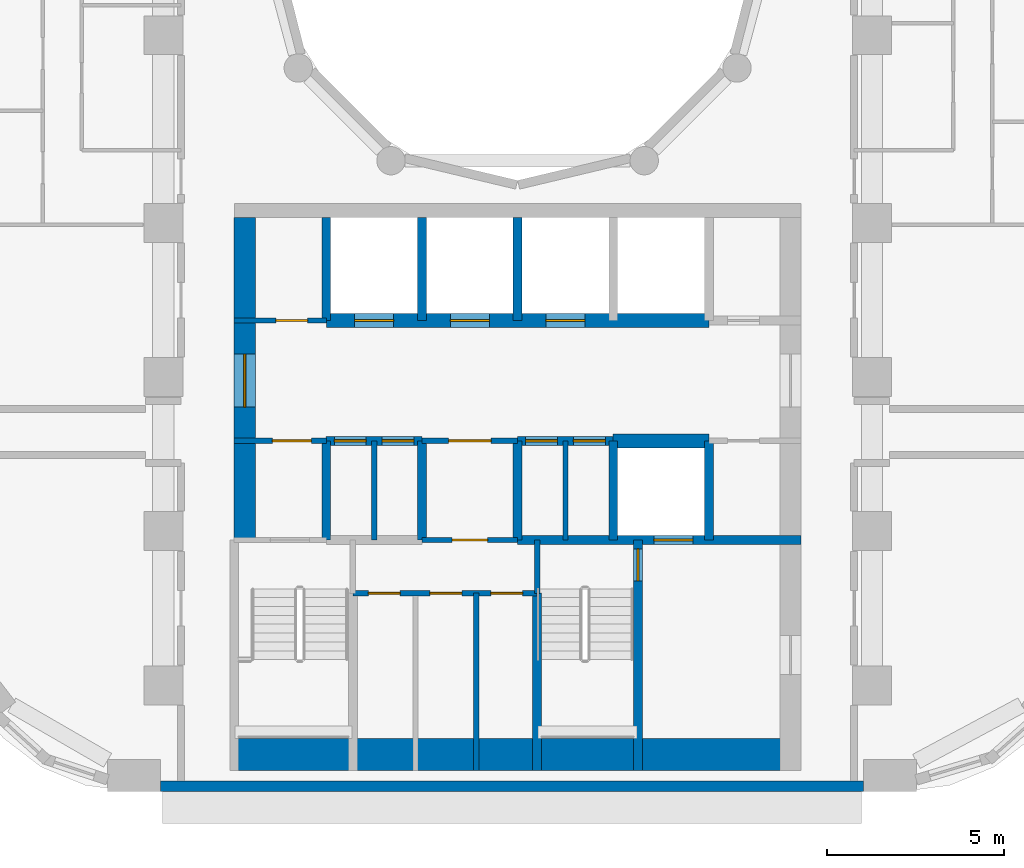
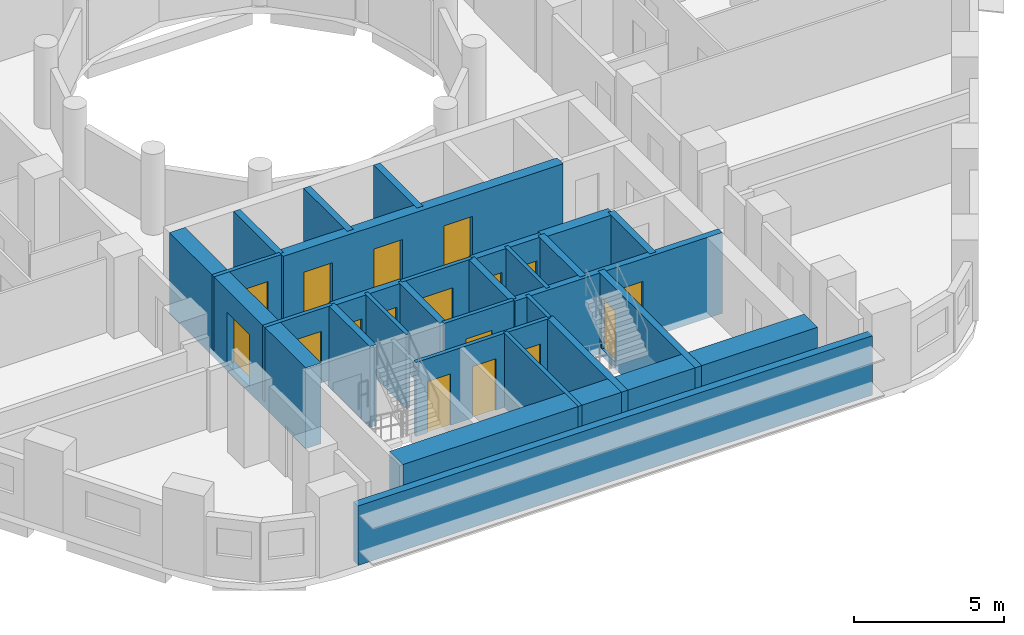
# One storey, part 3 of 13: 27 walls, 17 doors, 17 openings.
"""IFC4 building model written with IfcOpenShell, lengths in metres."""

import ifcopenshell
import ifcopenshell.guid

model = None  # the IFC model being written
_history = None  # IfcOwnerHistory: only IFC2X3 demands one
_inside = {}  # id of a spatial element -> (the spatial element, [elements in it])
_under = {}  # id of a project, library or spatial element -> (it, [spatial elements below it])
_declared = {}  # id of a project -> (the project, [libraries it declares])
_typed = {}  # id of a type object -> (the type object, [elements of that type])
_made_of = {}  # id of a material, layer set ... -> (it, [elements and type objects made of it])


def new_model(schema):
    """Start an empty IFC model of exactly this schema.

    Asked for "IFC4X3", IfcOpenShell would pick the latest addendum, in which some entities
    have other attributes; the version numbers below select the first issue.
    IFC2X3 requires an IfcOwnerHistory on every rooted entity: one is made here for all.
    """
    global model, _history
    if schema == "IFC4X3":
        model = ifcopenshell.file(schema_version=(4, 3, 0, 0))
    else:
        model = ifcopenshell.file(schema=schema)
    _inside.clear()
    _under.clear()
    _declared.clear()
    _typed.clear()
    _made_of.clear()
    _history = None
    if model.schema == "IFC2X3":
        org = make("IfcOrganization", Name="unknown")
        user = make(
            "IfcPersonAndOrganization",
            ThePerson=make("IfcPerson", FamilyName="unknown"),
            TheOrganization=org,
        )
        app = make(
            "IfcApplication",
            ApplicationDeveloper=org,
            Version="unknown",
            ApplicationFullName="unknown",
            ApplicationIdentifier="unknown",
        )
        _history = make(
            "IfcOwnerHistory",
            OwningUser=user,
            OwningApplication=app,
            ChangeAction="ADDED",
            CreationDate=0,
        )
    return model


def make(cls, **values):
    """One entity of the class cls with the attributes given. An attribute that is None is left unset."""
    return model.create_entity(
        cls, **{name: value for name, value in values.items() if value is not None}
    )


def rooted(cls, **values):
    """An entity with a GlobalId (a new one), such as an element, a storey or a relation."""
    return make(cls, GlobalId=ifcopenshell.guid.new(), OwnerHistory=_history, **values)


def si_unit(unit_type, name, prefix=None):
    """IfcSIUnit, for example si_unit("LENGTHUNIT", "METRE", prefix="MILLI")."""
    return make("IfcSIUnit", UnitType=unit_type, Prefix=prefix, Name=name)


def assignment(units):
    """IfcUnitAssignment: the units of a project."""
    return None if units is None else make("IfcUnitAssignment", Units=units)


def point(xyz):
    """IfcCartesianPoint."""
    return None if xyz is None else make("IfcCartesianPoint", Coordinates=xyz)


def direction(xyz):
    """IfcDirection."""
    return None if xyz is None else make("IfcDirection", DirectionRatios=xyz)


def frame(location, z_axis=None, x_axis=None):
    """IfcAxis2Placement3D, a coordinate frame: its origin and axes. An axis left out is left unset."""
    return make(
        "IfcAxis2Placement3D",
        Location=point(location),
        Axis=direction(z_axis),
        RefDirection=direction(x_axis),
    )


def frame_2d(location, x_axis=None):
    """IfcAxis2Placement2D, a coordinate frame in the plane: its origin and x axis."""
    return make(
        "IfcAxis2Placement2D", Location=point(location), RefDirection=direction(x_axis)
    )


def origin():
    """The frame at (0, 0, 0) with its axes left unset."""
    return frame((0.0, 0.0, 0.0))


def place(relative_to, where):
    """IfcLocalPlacement: puts the frame where relative to a parent placement (None: the world)."""
    return make(
        "IfcLocalPlacement", PlacementRelTo=relative_to, RelativePlacement=where
    )


def context(
    kind, dimensions, precision=None, world=None, true_north=None, identifier=None
):
    """IfcGeometricRepresentationContext, for example the 3D "Model" context."""
    return make(
        "IfcGeometricRepresentationContext",
        ContextIdentifier=identifier,
        ContextType=kind,
        CoordinateSpaceDimension=dimensions,
        Precision=precision,
        WorldCoordinateSystem=world,
        TrueNorth=true_north,
    )


def subcontext(parent, identifier, kind, view, scale=None):
    """IfcGeometricRepresentationSubContext, for example "Body" below "Model"."""
    return make(
        "IfcGeometricRepresentationSubContext",
        ContextIdentifier=identifier,
        ContextType=kind,
        ParentContext=parent,
        TargetScale=scale,
        TargetView=view,
    )


def project(units=None, contexts=None):
    """IfcProject with its units and contexts."""
    return rooted(
        "IfcProject",
        Name="project",
        RepresentationContexts=contexts,
        UnitsInContext=assignment(units),
    )


def spatial(cls, under=None, at=None, **own):
    """A site, building, storey or space (cls), placed at a placement, below another one or the project."""
    s = rooted(cls, ObjectPlacement=at, **own)
    if under is not None:
        _under.setdefault(under.id(), (under, []))[1].append(s)
    return s


def profile(cls, at=None, kind="AREA", **sizes):
    """A parametric profile (cls). Its sizes go by their IFC names, for example OverallWidth=200.0."""
    return make(cls, ProfileType=kind, Position=at, **sizes)


def rectangle(**sizes):
    """IfcRectangleProfileDef."""
    return profile("IfcRectangleProfileDef", **sizes)


def extrude(swept, where, along, depth):
    """IfcExtrudedAreaSolid: the profile swept, set in the frame where, extruded along a direction by depth."""
    return make(
        "IfcExtrudedAreaSolid",
        SweptArea=swept,
        Position=where,
        ExtrudedDirection=direction(along),
        Depth=depth,
    )


def shape(context_of_items, identifier, shape_type, items):
    """IfcShapeRepresentation: the items that make up one representation, for example the "Body"."""
    return make(
        "IfcShapeRepresentation",
        ContextOfItems=context_of_items,
        RepresentationIdentifier=identifier,
        RepresentationType=shape_type,
        Items=items,
    )


def material(Name=None, Category=None):
    """IfcMaterial."""
    return make("IfcMaterial", Name=Name, Category=Category)


def layer(
    of_material, thickness, ventilated=None, Name=None, Category=None, Priority=None
):
    """IfcMaterialLayer: one layer of a wall or slab, of a material (None: an air gap)."""
    return make(
        "IfcMaterialLayer",
        Material=of_material,
        LayerThickness=thickness,
        IsVentilated=ventilated,
        Name=Name,
        Category=Category,
        Priority=Priority,
    )


def layer_set(layers, Name=None):
    """IfcMaterialLayerSet."""
    return make("IfcMaterialLayerSet", MaterialLayers=layers, LayerSetName=Name)


def made_of(thing, what):
    """Note that an element or type object is made of a material, layer set ...; save() writes the relation."""
    if what is not None:
        _made_of.setdefault(what.id(), (what, []))[1].append(thing)
    return thing


def type_object(cls, material=None, **own):
    """A type object (cls), such as IfcWallType, which elements share."""
    return made_of(rooted(cls, **own), material)


def element(
    cls,
    number,
    at=None,
    inside=None,
    cuts=None,
    type_object=None,
    material=None,
    context=None,
    identifier="Body",
    shape_type=None,
    held_by="IfcProductDefinitionShape",
    body=None,
    shapes=None,
    **own,
):
    """One element of the class cls, such as IfcWall. Its Tag is "e" and its number.

    at: its placement. inside: the storey or other place that contains it. cuts: it is an
    opening in that element (IfcRelVoidsElement). A single representation is given by context,
    identifier, shape_type and body (its items); several are given by shapes. held_by: the class
    of the entity that holds the representations. save() writes the other relations.
    """
    e = rooted(cls, Tag="e%d" % number, ObjectPlacement=at, **own)
    if body is not None:
        shapes = [shape(context, identifier, shape_type, body)]
    if shapes is not None:
        e.Representation = make(held_by, Representations=shapes)
    if inside is not None:
        _inside.setdefault(inside.id(), (inside, []))[1].append(e)
    if cuts is not None:
        rooted(
            "IfcRelVoidsElement", RelatingBuildingElement=cuts, RelatedOpeningElement=e
        )
    if type_object is not None:
        _typed.setdefault(type_object.id(), (type_object, []))[1].append(e)
    return made_of(e, material)


def fill(opening, filler):
    """IfcRelFillsElement: the door or window that sits in an opening."""
    return rooted(
        "IfcRelFillsElement",
        RelatingOpeningElement=opening,
        RelatedBuildingElement=filler,
    )


def aggregate(whole, parts):
    """IfcRelAggregates: a whole, such as a stair, and the parts it consists of."""
    return rooted("IfcRelAggregates", RelatingObject=whole, RelatedObjects=parts)


def save(model, path):
    """Write the relations noted so far, then the file.

    IfcRelAggregates (storeys below a building ...), IfcRelContainedInSpatialStructure (elements
    in a storey), IfcRelDefinesByType, IfcRelAssociatesMaterial and IfcRelDeclares: one each for
    every whole, place, type object, material and project.
    """
    for whole, parts in _under.values():
        aggregate(whole, parts)
    for where, things in _inside.values():
        rooted(
            "IfcRelContainedInSpatialStructure",
            RelatedElements=things,
            RelatingStructure=where,
        )
    for kind, things in _typed.values():
        rooted("IfcRelDefinesByType", RelatedObjects=things, RelatingType=kind)
    for what, things in _made_of.values():
        rooted("IfcRelAssociatesMaterial", RelatedObjects=things, RelatingMaterial=what)
    for by, libraries in _declared.values():
        rooted("IfcRelDeclares", RelatingContext=by, RelatedDefinitions=libraries)
    model.write(path)


model = new_model("IFC4")

# Units and contexts
model_context = context("Model", 3, precision=1e-05, world=origin(), true_north=direction((0.0, 1.0)))
body_context = subcontext(model_context, "Body", "Model", "MODEL_VIEW")
ifc_project = project(units=[si_unit("LENGTHUNIT", "METRE"), si_unit("AREAUNIT", "SQUARE_METRE"), si_unit("VOLUMEUNIT", "CUBIC_METRE"), si_unit("PLANEANGLEUNIT", "RADIAN"), si_unit("MASSUNIT", "GRAM", prefix="KILO")], contexts=[model_context])

# Site, building, storey
site_placement = place(None, origin())
site = spatial("IfcSite", under=ifc_project, at=site_placement, CompositionType="ELEMENT")
building_placement = place(site_placement, origin())
building = spatial("IfcBuilding", under=site, at=building_placement, Name="Nakaniwa Court", CompositionType="ELEMENT")
storey_placement = place(building_placement, frame((0.0, 0.0, 48.0)))
storey = spatial("IfcBuildingStorey", under=building, at=storey_placement, Name="L12", CompositionType="ELEMENT", Elevation=48.0)

# Wall
ifc_material_1 = material(Name="Charcoal ceramic cladding")
ifc_layer_1 = layer(ifc_material_1, 0.02, Name="Ceramic cladding")
ifc_material_2 = material(Name="Ventilated air cavity")
ifc_layer_2 = layer(ifc_material_2, 0.04, ventilated=True, Name="Ventilated cavity")
ifc_material_3 = material(Name="Mineral wool insulation")
ifc_layer_3 = layer(ifc_material_3, 0.1, Name="Insulation")
ifc_material_4 = material(Name="Cement bonded sheathing board")
ifc_layer_4 = layer(ifc_material_4, 0.012, Name="Sheathing")
ifc_material_5 = material(Name="Cold-formed galvanised stud frame with mineral wool infill")
ifc_layer_5 = layer(ifc_material_5, 0.1, Name="Stud frame")
ifc_material_6 = material(Name="Fire-rated gypsum plasterboard lining")
ifc_layer_6 = layer(ifc_material_6, 0.028, Name="Lining")
ifc_layer_set_1 = layer_set([ifc_layer_1, ifc_layer_2, ifc_layer_3, ifc_layer_4, ifc_layer_5, ifc_layer_6], Name="Charcoal ceramic faced external wall system")
wall_type_1 = type_object("IfcWallType", Name="Black ceramic faced external wall 300", PredefinedType="SOLIDWALL", material=ifc_layer_set_1)
wall_1_placement = place(storey_placement, frame((69.92138671875, 56.14990234375, 0.0), z_axis=(0.0, 0.0, 1.0), x_axis=(1.0, 0.0, 0.0)))
element("IfcWall", 1, at=wall_1_placement, inside=storey, type_object=wall_type_1, Name="L12 external wall 26", PredefinedType="SOLIDWALL", context=body_context, shape_type="SweptSolid", body=[
    extrude(rectangle(XDim=19.839599609375, YDim=0.300048828125, at=frame_2d((9.919921875, 0.0))), origin(), (0.0, 0.0, 1.0), 2.425048828125),
])

# Wall, opening, door
ifc_material_7 = material(Name="Blockwork partition", Category="masonry")
ifc_layer_7 = layer(ifc_material_7, 0.14990234375)
ifc_layer_set_2 = layer_set([ifc_layer_7], Name="Blockwork partition")
wall_type_2 = type_object("IfcWallType", Name="Blockwork partition 150", PredefinedType="PARTITIONING", material=ifc_layer_set_2)
wall_2_placement = place(storey_placement, frame((72.0, 69.300048828125, 0.0), z_axis=(0.0, 0.0, 1.0), x_axis=(1.0, 0.0, 0.0)))
wall_2 = element("IfcWall", 2, at=wall_2_placement, inside=storey, type_object=wall_type_2, Name="Partition PW-039", PredefinedType="PARTITIONING", context=body_context, shape_type="SweptSolid", body=[
    extrude(rectangle(XDim=2.60009765625, YDim=0.14990234375, at=frame_2d((1.300048828125, 0.0))), origin(), (0.0, 0.0, 1.0), 3.02490234375),
])
opening_1_placement = place(wall_2_placement, frame((1.175048828125, 0.0, 0.0)))
opening_1 = element("IfcOpeningElement", 3, at=opening_1_placement, cuts=wall_2, Name="Opening D-05-11", PredefinedType="OPENING", context=body_context, shape_type="SweptSolid", body=[
    extrude(rectangle(XDim=0.89990234375, YDim=2.10009765625, at=frame_2d((0.449951171875, 1.050048828125))), frame((0.0, 0.0849609375, 0.0), z_axis=(0.0, -1.0, 0.0), x_axis=(1.0, 0.0, 0.0)), (0.0, 0.0, 1.0), 0.169921875),
])
ifc_material_8 = material(Name="Fire rated steel door set", Category="steel")
door_type_1 = type_object("IfcDoorType", Name="Service room door 900", OperationType="NOTDEFINED", PredefinedType="DOOR", material=ifc_material_8)
door_1_placement = place(opening_1_placement, origin())
door_1 = element("IfcDoor", 4, at=door_1_placement, inside=storey, type_object=door_type_1, Name="Door D-05-11 L12-016", OperationType="SINGLE_SWING_LEFT", OverallHeight=2.10009765625, OverallWidth=0.89990234375, PredefinedType="DOOR", context=body_context, shape_type="SweptSolid", body=[
    extrude(rectangle(XDim=0.89990234375, YDim=2.10009765625, at=frame_2d((0.449951171875, 1.050048828125))), frame((0.0, 0.02490234375, 0.0), z_axis=(0.0, -1.0, 0.0), x_axis=(1.0, 0.0, 0.0)), (0.0, 0.0, 1.0), 0.050048828125),
])
fill(opening_1, door_1)

wall_3_placement = place(storey_placement, frame((74.60302734375, 65.89990234375, 0.0), z_axis=(0.0, 0.0, 1.0), x_axis=(-1.0, 0.0, 0.0)))
wall_3 = element("IfcWall", 5, at=wall_3_placement, inside=storey, type_object=wall_type_2, Name="Partition PW-052", PredefinedType="PARTITIONING", context=body_context, shape_type="SweptSolid", body=[
    extrude(rectangle(XDim=2.60302734375, YDim=0.14990234375, at=frame_2d((1.301513671875, 0.0))), origin(), (0.0, 0.0, 1.0), 3.02490234375),
])
opening_2_placement = place(wall_3_placement, frame((0.427978515625, 0.0, 0.0)))
opening_2 = element("IfcOpeningElement", 6, at=opening_2_placement, cuts=wall_3, Name="Opening D-08-02", PredefinedType="OPENING", context=body_context, shape_type="SweptSolid", body=[
    extrude(rectangle(XDim=1.10009765625, YDim=2.10009765625, at=frame_2d((0.550048828125, 1.050048828125))), frame((0.0, 0.0849609375, 0.0), z_axis=(0.0, -1.0, 0.0), x_axis=(1.0, 0.0, 0.0)), (0.0, 0.0, 1.0), 0.169921875),
])
door_type_2 = type_object("IfcDoorType", Name="Stair lobby door 1100", OperationType="NOTDEFINED", PredefinedType="DOOR", material=ifc_material_8)
door_2_placement = place(opening_2_placement, origin())
door_2 = element("IfcDoor", 7, at=door_2_placement, inside=storey, type_object=door_type_2, Name="Door D-08-02 L12-018", OperationType="SINGLE_SWING_LEFT", OverallHeight=2.10009765625, OverallWidth=1.10009765625, PredefinedType="DOOR", context=body_context, shape_type="SweptSolid", body=[
    extrude(rectangle(XDim=1.10009765625, YDim=2.10009765625, at=frame_2d((0.550048828125, 1.050048828125))), frame((0.0, 0.02490234375, 0.0), z_axis=(0.0, -1.0, 0.0), x_axis=(1.0, 0.0, 0.0)), (0.0, 0.0, 1.0), 0.050048828125),
])
fill(opening_2, door_2)

wall_4_placement = place(storey_placement, frame((80.0029296875, 65.89990234375, 0.0), z_axis=(0.0, 0.0, 1.0), x_axis=(-1.0, 0.0, 0.0)))
wall_4 = element("IfcWall", 8, at=wall_4_placement, inside=storey, type_object=wall_type_2, Name="Partition PW-053", PredefinedType="PARTITIONING", context=body_context, shape_type="SweptSolid", body=[
    extrude(rectangle(XDim=2.705810546875, YDim=0.14990234375, at=frame_2d((1.35302734375, 0.0))), origin(), (0.0, 0.0, 1.0), 3.02490234375),
])
opening_3_placement = place(wall_4_placement, frame((0.7529296875, 0.0, 0.0)))
opening_3 = element("IfcOpeningElement", 9, at=opening_3_placement, cuts=wall_4, Name="Opening D-06-02", PredefinedType="OPENING", context=body_context, shape_type="SweptSolid", body=[
    extrude(rectangle(XDim=1.199951171875, YDim=2.10009765625, at=frame_2d((0.60009765625, 1.050048828125))), frame((0.0, 0.0849609375, 0.0), z_axis=(0.0, -1.0, 0.0), x_axis=(1.0, 0.0, 0.0)), (0.0, 0.0, 1.0), 0.169921875),
])
ifc_material_9 = material(Name="Fire rated steel double door set", Category="steel")
door_type_3 = type_object("IfcDoorType", Name="Service passage double door 1200", OperationType="NOTDEFINED", PredefinedType="DOOR", material=ifc_material_9)
door_3_placement = place(opening_3_placement, origin())
door_3 = element("IfcDoor", 10, at=door_3_placement, inside=storey, type_object=door_type_3, Name="Door D-06-02 L12-021", OperationType="DOUBLE_DOOR_SINGLE_SWING", OverallHeight=2.10009765625, OverallWidth=1.199951171875, PredefinedType="DOOR", context=body_context, shape_type="SweptSolid", body=[
    extrude(rectangle(XDim=1.199951171875, YDim=2.10009765625, at=frame_2d((0.60009765625, 1.050048828125))), frame((0.0, 0.02490234375, 0.0), z_axis=(0.0, -1.0, 0.0), x_axis=(1.0, 0.0, 0.0)), (0.0, 0.0, 1.0), 0.050048828125),
])
fill(opening_3, door_3)

# Wall
wall_5_placement = place(storey_placement, frame((75.949951171875, 63.10009765625, 0.0), z_axis=(0.0, 0.0, 1.0), x_axis=(0.0, 1.0, 0.0)))
element("IfcWall", 11, at=wall_5_placement, inside=storey, type_object=wall_type_2, Name="Partition PW-059", PredefinedType="PARTITIONING", context=body_context, shape_type="SweptSolid", body=[
    extrude(rectangle(XDim=2.7998046875, YDim=0.14990234375, at=frame_2d((1.39990234375, 0.0))), origin(), (0.0, 0.0, 1.0), 3.02490234375),
])

# Wall, opening, door
wall_6_placement = place(storey_placement, frame((80.0, 63.10009765625, 0.0), z_axis=(0.0, 0.0, 1.0), x_axis=(-1.0, 0.0, 0.0)))
wall_6 = element("IfcWall", 12, at=wall_6_placement, inside=storey, type_object=wall_type_2, Name="Partition PW-062", PredefinedType="PARTITIONING", context=body_context, shape_type="SweptSolid", body=[
    extrude(rectangle(XDim=2.699951171875, YDim=0.14990234375, at=frame_2d((1.35009765625, 0.0))), origin(), (0.0, 0.0, 1.0), 3.02490234375),
])
opening_4_placement = place(wall_6_placement, frame((0.85009765625, 0.0, 0.0)))
opening_4 = element("IfcOpeningElement", 13, at=opening_4_placement, cuts=wall_6, Name="Opening D-23-02", PredefinedType="OPENING", context=body_context, shape_type="SweptSolid", body=[
    extrude(rectangle(XDim=1.0, YDim=2.10009765625, at=frame_2d((0.5, 1.050048828125))), frame((0.0, 0.0849609375, 0.0), z_axis=(0.0, -1.0, 0.0), x_axis=(1.0, 0.0, 0.0)), (0.0, 0.0, 1.0), 0.169921875),
])
door_type_4 = type_object("IfcDoorType", Name="Service room door 1000", OperationType="NOTDEFINED", PredefinedType="DOOR", material=ifc_material_8)
door_4_placement = place(opening_4_placement, origin())
door_4 = element("IfcDoor", 14, at=door_4_placement, inside=storey, type_object=door_type_4, Name="Door D-23-02 L12-025", OperationType="SINGLE_SWING_RIGHT", OverallHeight=2.10009765625, OverallWidth=1.0, PredefinedType="DOOR", context=body_context, shape_type="SweptSolid", body=[
    extrude(rectangle(XDim=1.0, YDim=2.10009765625, at=frame_2d((0.5, 1.050048828125))), frame((0.0, 0.02490234375, 0.0), z_axis=(0.0, -1.0, 0.0), x_axis=(1.0, 0.0, 0.0)), (0.0, 0.0, 1.0), 0.050048828125),
])
fill(opening_4, door_4)

# Wall
wall_7_placement = place(storey_placement, frame((81.35009765625, 63.10009765625, 0.0), z_axis=(0.0, 0.0, 1.0), x_axis=(0.0, 1.0, 0.0)))
element("IfcWall", 15, at=wall_7_placement, inside=storey, type_object=wall_type_2, Name="Partition PW-063", PredefinedType="PARTITIONING", context=body_context, shape_type="SweptSolid", body=[
    extrude(rectangle(XDim=2.7998046875, YDim=0.14990234375, at=frame_2d((1.39990234375, 0.0))), origin(), (0.0, 0.0, 1.0), 3.02490234375),
])

# Wall, openings, doors
wall_8_placement = place(storey_placement, frame((80.550048828125, 61.60009765625, 0.0), z_axis=(0.0, 0.0, 1.0), x_axis=(-1.0, 0.0, 0.0)))
wall_8 = element("IfcWall", 16, at=wall_8_placement, inside=storey, type_object=wall_type_2, Name="Partition PW-070", PredefinedType="PARTITIONING", context=body_context, shape_type="SweptSolid", body=[
    extrude(rectangle(XDim=5.199951171875, YDim=0.14990234375, at=frame_2d((2.60009765625, 0.0))), origin(), (0.0, 0.0, 1.0), 3.02490234375),
])
opening_5_placement = place(wall_8_placement, frame((3.865966796875, 0.0, 0.0)))
opening_5 = element("IfcOpeningElement", 17, at=opening_5_placement, cuts=wall_8, Name="Opening D-05-18", PredefinedType="OPENING", context=body_context, shape_type="SweptSolid", body=[
    extrude(rectangle(XDim=0.89990234375, YDim=2.10009765625, at=frame_2d((0.449951171875, 1.050048828125))), frame((0.0, 0.0849609375, 0.0), z_axis=(0.0, -1.0, 0.0), x_axis=(1.0, 0.0, 0.0)), (0.0, 0.0, 1.0), 0.169921875),
])
opening_6_placement = place(wall_8_placement, frame((2.1240234375, 0.0, 0.0)))
opening_6 = element("IfcOpeningElement", 18, at=opening_6_placement, cuts=wall_8, Name="Opening D-05-19", PredefinedType="OPENING", context=body_context, shape_type="SweptSolid", body=[
    extrude(rectangle(XDim=0.89990234375, YDim=2.10009765625, at=frame_2d((0.449951171875, 1.050048828125))), frame((0.0, 0.0849609375, 0.0), z_axis=(0.0, -1.0, 0.0), x_axis=(1.0, 0.0, 0.0)), (0.0, 0.0, 1.0), 0.169921875),
])
opening_7_placement = place(wall_8_placement, frame((0.407958984375, 0.0, 0.0)))
opening_7 = element("IfcOpeningElement", 19, at=opening_7_placement, cuts=wall_8, Name="Opening D-05-20", PredefinedType="OPENING", context=body_context, shape_type="SweptSolid", body=[
    extrude(rectangle(XDim=0.89990234375, YDim=2.10009765625, at=frame_2d((0.449951171875, 1.050048828125))), frame((0.0, 0.0849609375, 0.0), z_axis=(0.0, -1.0, 0.0), x_axis=(1.0, 0.0, 0.0)), (0.0, 0.0, 1.0), 0.169921875),
])
door_5_placement = place(opening_5_placement, origin())
door_5 = element("IfcDoor", 20, at=door_5_placement, inside=storey, type_object=door_type_1, Name="Door D-05-18 L12-026", OperationType="SINGLE_SWING_LEFT", OverallHeight=2.10009765625, OverallWidth=0.89990234375, PredefinedType="DOOR", context=body_context, shape_type="SweptSolid", body=[
    extrude(rectangle(XDim=0.89990234375, YDim=2.10009765625, at=frame_2d((0.449951171875, 1.050048828125))), frame((0.0, 0.02490234375, 0.0), z_axis=(0.0, -1.0, 0.0), x_axis=(1.0, 0.0, 0.0)), (0.0, 0.0, 1.0), 0.050048828125),
])
fill(opening_5, door_5)
door_6_placement = place(opening_6_placement, origin())
door_6 = element("IfcDoor", 21, at=door_6_placement, inside=storey, type_object=door_type_1, Name="Door D-05-19 L12-027", OperationType="SINGLE_SWING_RIGHT", OverallHeight=2.10009765625, OverallWidth=0.89990234375, PredefinedType="DOOR", context=body_context, shape_type="SweptSolid", body=[
    extrude(rectangle(XDim=0.89990234375, YDim=2.10009765625, at=frame_2d((0.449951171875, 1.050048828125))), frame((0.0, 0.02490234375, 0.0), z_axis=(0.0, -1.0, 0.0), x_axis=(1.0, 0.0, 0.0)), (0.0, 0.0, 1.0), 0.050048828125),
])
fill(opening_6, door_6)
door_7_placement = place(opening_7_placement, origin())
door_7 = element("IfcDoor", 22, at=door_7_placement, inside=storey, type_object=door_type_1, Name="Door D-05-20 L12-028", OperationType="SINGLE_SWING_LEFT", OverallHeight=2.10009765625, OverallWidth=0.89990234375, PredefinedType="DOOR", context=body_context, shape_type="SweptSolid", body=[
    extrude(rectangle(XDim=0.89990234375, YDim=2.10009765625, at=frame_2d((0.449951171875, 1.050048828125))), frame((0.0, 0.02490234375, 0.0), z_axis=(0.0, -1.0, 0.0), x_axis=(1.0, 0.0, 0.0)), (0.0, 0.0, 1.0), 0.050048828125),
])
fill(opening_7, door_7)

# Wall
wall_9_placement = place(storey_placement, frame((78.833984375, 56.60009765625, 0.0), z_axis=(0.0, 0.0, 1.0), x_axis=(0.0, 1.0, 0.0)))
element("IfcWall", 23, at=wall_9_placement, inside=storey, type_object=wall_type_2, Name="Partition PW-072", PredefinedType="PARTITIONING", context=body_context, shape_type="SweptSolid", body=[
    extrude(rectangle(XDim=5.0, YDim=0.14990234375, at=frame_2d((2.5, 0.0))), origin(), (0.0, 0.0, 1.0), 3.02490234375),
])

# Wall, opening, door
ifc_material_10 = material(Name="Concrete C100/115", Category="concrete")
ifc_layer_8 = layer(ifc_material_10, 0.60009765625)
ifc_layer_set_3 = layer_set([ifc_layer_8], Name="Concrete C100/115")
wall_type_3 = type_object("IfcWallType", Name="Concrete core side wall 600 C100", PredefinedType="SHEAR", material=ifc_layer_set_3)
wall_10_placement = place(storey_placement, frame((72.300048828125, 63.10009765625, -0.27490234375), z_axis=(0.0, 0.0, 1.0), x_axis=(0.0, 1.0, 0.0)))
wall_10 = element("IfcWall", 24, at=wall_10_placement, inside=storey, type_object=wall_type_3, Name="Core wall SW-40", PredefinedType="SHEAR", context=body_context, shape_type="SweptSolid", body=[
    extrude(rectangle(XDim=9.099853515625, YDim=0.60009765625, at=frame_2d((4.5498046875, 0.0))), origin(), (0.0, 0.0, 1.0), 3.2998046875),
])
opening_8_placement = place(wall_10_placement, frame((3.75, 0.0, 0.27490234375)))
opening_8 = element("IfcOpeningElement", 25, at=opening_8_placement, cuts=wall_10, Name="Opening D-07-04", PredefinedType="OPENING", context=body_context, shape_type="SweptSolid", body=[
    extrude(rectangle(XDim=1.5, YDim=2.10009765625, at=frame_2d((0.75, 1.050048828125))), frame((0.0, 0.31005859375, 0.0), z_axis=(0.0, -1.0, 0.0), x_axis=(1.0, 0.0, 0.0)), (0.0, 0.0, 1.0), 0.6201171875),
])
ifc_material_11 = material(Name="Glazed fire rated steel double door set", Category="steel")
door_type_5 = type_object("IfcDoorType", Name="Lobby double door 1500", OperationType="NOTDEFINED", PredefinedType="DOOR", material=ifc_material_11)
door_8_placement = place(opening_8_placement, origin())
door_8 = element("IfcDoor", 26, at=door_8_placement, inside=storey, type_object=door_type_5, Name="Door D-07-04 L12-064", OperationType="DOUBLE_DOOR_SINGLE_SWING", OverallHeight=2.10009765625, OverallWidth=1.5, PredefinedType="DOOR", context=body_context, shape_type="SweptSolid", body=[
    extrude(rectangle(XDim=1.5, YDim=2.10009765625, at=frame_2d((0.75, 1.050048828125))), frame((0.0, 0.02490234375, 0.0), z_axis=(0.0, -1.0, 0.0), x_axis=(1.0, 0.0, 0.0)), (0.0, 0.0, 1.0), 0.050048828125),
])
fill(opening_8, door_8)

# Wall, openings, doors
ifc_layer_9 = layer(ifc_material_10, 0.39990234375)
ifc_layer_set_4 = layer_set([ifc_layer_9], Name="Concrete C100/115")
wall_type_4 = type_object("IfcWallType", Name="Concrete core spine wall 400 C100", PredefinedType="SHEAR", material=ifc_layer_set_4)
wall_11_placement = place(storey_placement, frame((74.60009765625, 69.300048828125, -0.27490234375), z_axis=(0.0, 0.0, 1.0), x_axis=(1.0, 0.0, 0.0)))
wall_11 = element("IfcWall", 27, at=wall_11_placement, inside=storey, type_object=wall_type_4, Name="Core wall SW-43", PredefinedType="SHEAR", context=body_context, shape_type="SweptSolid", body=[
    extrude(rectangle(XDim=10.7998046875, YDim=0.39990234375, at=frame_2d((5.39990234375, 0.0))), origin(), (0.0, 0.0, 1.0), 3.2998046875),
])
opening_9_placement = place(wall_11_placement, frame((0.800048828125, 0.0, 0.27490234375)))
opening_9 = element("IfcOpeningElement", 28, at=opening_9_placement, cuts=wall_11, Name="Opening LD05", PredefinedType="OPENING", context=body_context, shape_type="SweptSolid", body=[
    extrude(rectangle(XDim=1.10009765625, YDim=2.10009765625, at=frame_2d((0.550048828125, 1.050048828125))), frame((0.0, 0.2099609375, 0.0), z_axis=(0.0, -1.0, 0.0), x_axis=(1.0, 0.0, 0.0)), (0.0, 0.0, 1.0), 0.419921875),
])
opening_10_placement = place(wall_11_placement, frame((3.5, 0.0, 0.27490234375)))
opening_10 = element("IfcOpeningElement", 29, at=opening_10_placement, cuts=wall_11, Name="Opening LD06", PredefinedType="OPENING", context=body_context, shape_type="SweptSolid", body=[
    extrude(rectangle(XDim=1.10009765625, YDim=2.10009765625, at=frame_2d((0.550048828125, 1.050048828125))), frame((0.0, 0.2099609375, 0.0), z_axis=(0.0, -1.0, 0.0), x_axis=(1.0, 0.0, 0.0)), (0.0, 0.0, 1.0), 0.419921875),
])
opening_11_placement = place(wall_11_placement, frame((6.199951171875, 0.0, 0.27490234375)))
opening_11 = element("IfcOpeningElement", 30, at=opening_11_placement, cuts=wall_11, Name="Opening LD07", PredefinedType="OPENING", context=body_context, shape_type="SweptSolid", body=[
    extrude(rectangle(XDim=1.10009765625, YDim=2.10009765625, at=frame_2d((0.550048828125, 1.050048828125))), frame((0.0, 0.2099609375, 0.0), z_axis=(0.0, -1.0, 0.0), x_axis=(1.0, 0.0, 0.0)), (0.0, 0.0, 1.0), 0.419921875),
])
ifc_material_12 = material(Name="Stainless steel sliding lift landing door", Category="steel")
door_type_6 = type_object("IfcDoorType", Name="Lift landing door 1100", OperationType="NOTDEFINED", PredefinedType="DOOR", material=ifc_material_12)
door_9_placement = place(opening_9_placement, origin())
door_9 = element("IfcDoor", 31, at=door_9_placement, inside=storey, type_object=door_type_6, Name="Lift landing door LD05 L12-005", OperationType="SLIDING_TO_LEFT", OverallHeight=2.10009765625, OverallWidth=1.10009765625, PredefinedType="DOOR", context=body_context, shape_type="SweptSolid", body=[
    extrude(rectangle(XDim=1.10009765625, YDim=2.10009765625, at=frame_2d((0.550048828125, 1.050048828125))), frame((0.0, 0.02490234375, 0.0), z_axis=(0.0, -1.0, 0.0), x_axis=(1.0, 0.0, 0.0)), (0.0, 0.0, 1.0), 0.050048828125),
])
fill(opening_9, door_9)
door_10_placement = place(opening_10_placement, origin())
door_10 = element("IfcDoor", 32, at=door_10_placement, inside=storey, type_object=door_type_6, Name="Lift landing door LD06 L12-006", OperationType="SLIDING_TO_LEFT", OverallHeight=2.10009765625, OverallWidth=1.10009765625, PredefinedType="DOOR", context=body_context, shape_type="SweptSolid", body=[
    extrude(rectangle(XDim=1.10009765625, YDim=2.10009765625, at=frame_2d((0.550048828125, 1.050048828125))), frame((0.0, 0.02490234375, 0.0), z_axis=(0.0, -1.0, 0.0), x_axis=(1.0, 0.0, 0.0)), (0.0, 0.0, 1.0), 0.050048828125),
])
fill(opening_10, door_10)
door_11_placement = place(opening_11_placement, origin())
door_11 = element("IfcDoor", 33, at=door_11_placement, inside=storey, type_object=door_type_6, Name="Lift landing door LD07 L12-007", OperationType="SLIDING_TO_LEFT", OverallHeight=2.10009765625, OverallWidth=1.10009765625, PredefinedType="DOOR", context=body_context, shape_type="SweptSolid", body=[
    extrude(rectangle(XDim=1.10009765625, YDim=2.10009765625, at=frame_2d((0.550048828125, 1.050048828125))), frame((0.0, 0.02490234375, 0.0), z_axis=(0.0, -1.0, 0.0), x_axis=(1.0, 0.0, 0.0)), (0.0, 0.0, 1.0), 0.050048828125),
])
fill(opening_11, door_11)

# Walls
wall_12_placement = place(storey_placement, frame((82.697021484375, 65.89990234375, -0.27490234375), z_axis=(0.0, 0.0, 1.0), x_axis=(1.0, 0.0, 0.0)))
element("IfcWall", 34, at=wall_12_placement, inside=storey, type_object=wall_type_4, Name="Core wall SW-57", PredefinedType="SHEAR", context=body_context, shape_type="SweptSolid", body=[
    extrude(rectangle(XDim=2.7060546875, YDim=0.39990234375, at=frame_2d((1.35302734375, 0.0))), origin(), (0.0, 0.0, 1.0), 3.2998046875),
])
ifc_layer_10 = layer(ifc_material_10, 0.14990234375)
ifc_layer_set_5 = layer_set([ifc_layer_10], Name="Concrete C100/115")
wall_type_5 = type_object("IfcWallType", Name="Concrete core wall 150 C100", PredefinedType="SHEAR", material=ifc_layer_set_5)
wall_13_placement = place(storey_placement, frame((80.550048828125, 61.596923828125, -0.27490234375), z_axis=(0.0, 0.0, 1.0), x_axis=(0.0, 1.0, 0.0)))
element("IfcWall", 35, at=wall_13_placement, inside=storey, type_object=wall_type_5, Name="Core wall SW-68", PredefinedType="SHEAR", context=body_context, shape_type="SweptSolid", body=[
    extrude(rectangle(XDim=1.503173828125, YDim=0.14990234375, at=frame_2d((0.75146484375, 0.0))), origin(), (0.0, 0.0, 1.0), 3.2998046875),
])
ifc_layer_11 = layer(ifc_material_10, 0.89990234375)
ifc_layer_set_6 = layer_set([ifc_layer_11], Name="Concrete C100/115")
wall_type_6 = type_object("IfcWallType", Name="Concrete core wall 900 C100", PredefinedType="SHEAR", material=ifc_layer_set_6)
wall_14_placement = place(storey_placement, frame((72.00390625, 57.050048828125, -0.27490234375), z_axis=(0.0, 0.0, 1.0), x_axis=(1.0, 0.0, 0.0)))
element("IfcWall", 36, at=wall_14_placement, inside=storey, type_object=wall_type_6, Name="Core wall SW-141", PredefinedType="SHEAR", context=body_context, shape_type="SweptSolid", body=[
    extrude(rectangle(XDim=15.9921875, YDim=0.89990234375, at=frame_2d((7.99609375, 0.0))), origin(), (0.0, 0.0, 1.0), 3.2998046875),
])
ifc_layer_12 = layer(ifc_material_10, 0.25)
ifc_layer_set_7 = layer_set([ifc_layer_12], Name="Concrete C100/115")
wall_type_7 = type_object("IfcWallType", Name="Concrete shaft wall 250 C100", PredefinedType="SHEAR", material=ifc_layer_set_7)
wall_15_placement = place(storey_placement, frame((74.60009765625, 63.10009765625, -0.27490234375), z_axis=(0.0, 0.0, 1.0), x_axis=(0.0, 1.0, 0.0)))
element("IfcWall", 37, at=wall_15_placement, inside=storey, type_object=wall_type_7, Name="Core wall SW-37", PredefinedType="SHEAR", context=body_context, shape_type="SweptSolid", body=[
    extrude(rectangle(XDim=2.7998046875, YDim=0.25, at=frame_2d((1.39990234375, 0.0))), origin(), (0.0, 0.0, 1.0), 3.2998046875),
])
wall_16_placement = place(storey_placement, frame((74.60009765625, 69.300048828125, -0.27490234375), z_axis=(0.0, 0.0, 1.0), x_axis=(0.0, 1.0, 0.0)))
element("IfcWall", 38, at=wall_16_placement, inside=storey, type_object=wall_type_7, Name="Core wall SW-38", PredefinedType="SHEAR", context=body_context, shape_type="SweptSolid", body=[
    extrude(rectangle(XDim=2.89990234375, YDim=0.25, at=frame_2d((1.449951171875, 0.0))), origin(), (0.0, 0.0, 1.0), 3.2998046875),
])
wall_17_placement = place(storey_placement, frame((77.300048828125, 63.10009765625, -0.27490234375), z_axis=(0.0, 0.0, 1.0), x_axis=(0.0, 1.0, 0.0)))
element("IfcWall", 39, at=wall_17_placement, inside=storey, type_object=wall_type_7, Name="Core wall SW-41", PredefinedType="SHEAR", context=body_context, shape_type="SweptSolid", body=[
    extrude(rectangle(XDim=2.7998046875, YDim=0.25, at=frame_2d((1.39990234375, 0.0))), origin(), (0.0, 0.0, 1.0), 3.2998046875),
])
wall_18_placement = place(storey_placement, frame((77.300048828125, 69.300048828125, -0.27490234375), z_axis=(0.0, 0.0, 1.0), x_axis=(0.0, 1.0, 0.0)))
element("IfcWall", 40, at=wall_18_placement, inside=storey, type_object=wall_type_7, Name="Core wall SW-42", PredefinedType="SHEAR", context=body_context, shape_type="SweptSolid", body=[
    extrude(rectangle(XDim=2.89990234375, YDim=0.25, at=frame_2d((1.449951171875, 0.0))), origin(), (0.0, 0.0, 1.0), 3.2998046875),
])
wall_19_placement = place(storey_placement, frame((80.0, 63.10009765625, -0.27490234375), z_axis=(0.0, 0.0, 1.0), x_axis=(0.0, 1.0, 0.0)))
element("IfcWall", 41, at=wall_19_placement, inside=storey, type_object=wall_type_7, Name="Core wall SW-44", PredefinedType="SHEAR", context=body_context, shape_type="SweptSolid", body=[
    extrude(rectangle(XDim=2.7998046875, YDim=0.25, at=frame_2d((1.39990234375, 0.0))), origin(), (0.0, 0.0, 1.0), 3.2998046875),
])
wall_20_placement = place(storey_placement, frame((80.0, 69.300048828125, -0.27490234375), z_axis=(0.0, 0.0, 1.0), x_axis=(0.0, 1.0, 0.0)))
element("IfcWall", 42, at=wall_20_placement, inside=storey, type_object=wall_type_7, Name="Core wall SW-45", PredefinedType="SHEAR", context=body_context, shape_type="SweptSolid", body=[
    extrude(rectangle(XDim=2.89990234375, YDim=0.25, at=frame_2d((1.449951171875, 0.0))), origin(), (0.0, 0.0, 1.0), 3.2998046875),
])
for number, where, z_axis, x_axis, name in (
    (43, (82.699951171875, 63.10009765625, -0.27490234375), (0.0, 0.0, 1.0), (0.0, 1.0, 0.0), "Core wall SW-46"),
    (44, (85.39990234375, 63.10009765625, -0.27490234375), (0.0, 0.0, 1.0), (0.0, 1.0, 0.0), "Core wall SW-48"),
):
    element("IfcWall", number, at=place(storey_placement, frame(where, z_axis=z_axis, x_axis=x_axis)), inside=storey, type_object=wall_type_7, Name=name, PredefinedType="SHEAR", context=body_context, shape_type="SweptSolid", body=[
        extrude(rectangle(XDim=2.7998046875, YDim=0.25, at=frame_2d((1.39990234375, 0.0))), origin(), (0.0, 0.0, 1.0), 3.2998046875),
    ])

# Wall, openings, doors
wall_21_placement = place(storey_placement, frame((77.302978515625, 65.89990234375, -0.27490234375), z_axis=(0.0, 0.0, 1.0), x_axis=(-1.0, 0.0, 0.0)))
wall_21 = element("IfcWall", 45, at=wall_21_placement, inside=storey, type_object=wall_type_7, Name="Core wall SW-55", PredefinedType="SHEAR", context=body_context, shape_type="SweptSolid", body=[
    extrude(rectangle(XDim=2.7060546875, YDim=0.25, at=frame_2d((1.35302734375, 0.0))), origin(), (0.0, 0.0, 1.0), 3.2998046875),
])
opening_12_placement = place(wall_21_placement, frame((1.577880859375, 0.0, 0.27490234375)))
opening_12 = element("IfcOpeningElement", 46, at=opening_12_placement, cuts=wall_21, Name="Opening D-05-13", PredefinedType="OPENING", context=body_context, shape_type="SweptSolid", body=[
    extrude(rectangle(XDim=0.89990234375, YDim=2.10009765625, at=frame_2d((0.449951171875, 1.050048828125))), frame((0.0, 0.135009765625, 0.0), z_axis=(0.0, -1.0, 0.0), x_axis=(1.0, 0.0, 0.0)), (0.0, 0.0, 1.0), 0.27001953125),
])
opening_13_placement = place(wall_21_placement, frame((0.22802734375, 0.0, 0.27490234375)))
opening_13 = element("IfcOpeningElement", 47, at=opening_13_placement, cuts=wall_21, Name="Opening D-05-14", PredefinedType="OPENING", context=body_context, shape_type="SweptSolid", body=[
    extrude(rectangle(XDim=0.89990234375, YDim=2.10009765625, at=frame_2d((0.449951171875, 1.050048828125))), frame((0.0, 0.135009765625, 0.0), z_axis=(0.0, -1.0, 0.0), x_axis=(1.0, 0.0, 0.0)), (0.0, 0.0, 1.0), 0.27001953125),
])
door_12_placement = place(opening_12_placement, origin())
door_12 = element("IfcDoor", 48, at=door_12_placement, inside=storey, type_object=door_type_1, Name="Door D-05-13 L12-019", OperationType="SINGLE_SWING_RIGHT", OverallHeight=2.10009765625, OverallWidth=0.89990234375, PredefinedType="DOOR", context=body_context, shape_type="SweptSolid", body=[
    extrude(rectangle(XDim=0.89990234375, YDim=2.10009765625, at=frame_2d((0.449951171875, 1.050048828125))), frame((0.0, 0.02490234375, 0.0), z_axis=(0.0, -1.0, 0.0), x_axis=(1.0, 0.0, 0.0)), (0.0, 0.0, 1.0), 0.050048828125),
])
fill(opening_12, door_12)
door_13_placement = place(opening_13_placement, origin())
door_13 = element("IfcDoor", 49, at=door_13_placement, inside=storey, type_object=door_type_1, Name="Door D-05-14 L12-020", OperationType="SINGLE_SWING_LEFT", OverallHeight=2.10009765625, OverallWidth=0.89990234375, PredefinedType="DOOR", context=body_context, shape_type="SweptSolid", body=[
    extrude(rectangle(XDim=0.89990234375, YDim=2.10009765625, at=frame_2d((0.449951171875, 1.050048828125))), frame((0.0, 0.02490234375, 0.0), z_axis=(0.0, -1.0, 0.0), x_axis=(1.0, 0.0, 0.0)), (0.0, 0.0, 1.0), 0.050048828125),
])
fill(opening_13, door_13)

wall_22_placement = place(storey_placement, frame((82.702880859375, 65.89990234375, -0.27490234375), z_axis=(0.0, 0.0, 1.0), x_axis=(-1.0, 0.0, 0.0)))
wall_22 = element("IfcWall", 50, at=wall_22_placement, inside=storey, type_object=wall_type_7, Name="Core wall SW-56", PredefinedType="SHEAR", context=body_context, shape_type="SweptSolid", body=[
    extrude(rectangle(XDim=2.705810546875, YDim=0.25, at=frame_2d((1.35302734375, 0.0))), origin(), (0.0, 0.0, 1.0), 3.2998046875),
])
opening_14_placement = place(wall_22_placement, frame((1.577880859375, 0.0, 0.27490234375)))
opening_14 = element("IfcOpeningElement", 51, at=opening_14_placement, cuts=wall_22, Name="Opening D-05-15", PredefinedType="OPENING", context=body_context, shape_type="SweptSolid", body=[
    extrude(rectangle(XDim=0.89990234375, YDim=2.10009765625, at=frame_2d((0.449951171875, 1.050048828125))), frame((0.0, 0.135009765625, 0.0), z_axis=(0.0, -1.0, 0.0), x_axis=(1.0, 0.0, 0.0)), (0.0, 0.0, 1.0), 0.27001953125),
])
opening_15_placement = place(wall_22_placement, frame((0.22802734375, 0.0, 0.27490234375)))
opening_15 = element("IfcOpeningElement", 52, at=opening_15_placement, cuts=wall_22, Name="Opening D-05-16", PredefinedType="OPENING", context=body_context, shape_type="SweptSolid", body=[
    extrude(rectangle(XDim=0.89990234375, YDim=2.10009765625, at=frame_2d((0.449951171875, 1.050048828125))), frame((0.0, 0.135009765625, 0.0), z_axis=(0.0, -1.0, 0.0), x_axis=(1.0, 0.0, 0.0)), (0.0, 0.0, 1.0), 0.27001953125),
])
door_14_placement = place(opening_14_placement, origin())
door_14 = element("IfcDoor", 53, at=door_14_placement, inside=storey, type_object=door_type_1, Name="Door D-05-15 L12-022", OperationType="SINGLE_SWING_LEFT", OverallHeight=2.10009765625, OverallWidth=0.89990234375, PredefinedType="DOOR", context=body_context, shape_type="SweptSolid", body=[
    extrude(rectangle(XDim=0.89990234375, YDim=2.10009765625, at=frame_2d((0.449951171875, 1.050048828125))), frame((0.0, 0.02490234375, 0.0), z_axis=(0.0, -1.0, 0.0), x_axis=(1.0, 0.0, 0.0)), (0.0, 0.0, 1.0), 0.050048828125),
])
fill(opening_14, door_14)
door_15_placement = place(opening_15_placement, origin())
door_15 = element("IfcDoor", 54, at=door_15_placement, inside=storey, type_object=door_type_1, Name="Door D-05-16 L12-023", OperationType="SINGLE_SWING_RIGHT", OverallHeight=2.10009765625, OverallWidth=0.89990234375, PredefinedType="DOOR", context=body_context, shape_type="SweptSolid", body=[
    extrude(rectangle(XDim=0.89990234375, YDim=2.10009765625, at=frame_2d((0.449951171875, 1.050048828125))), frame((0.0, 0.02490234375, 0.0), z_axis=(0.0, -1.0, 0.0), x_axis=(1.0, 0.0, 0.0)), (0.0, 0.0, 1.0), 0.050048828125),
])
fill(opening_15, door_15)

# Wall, opening, door
wall_23_placement = place(storey_placement, frame((80.0, 63.10009765625, -0.27490234375), z_axis=(0.0, 0.0, 1.0), x_axis=(1.0, 0.0, 0.0)))
wall_23 = element("IfcWall", 55, at=wall_23_placement, inside=storey, type_object=wall_type_7, Name="Core wall SW-61", PredefinedType="SHEAR", context=body_context, shape_type="SweptSolid", body=[
    extrude(rectangle(XDim=8.0, YDim=0.25, at=frame_2d((4.0, 0.0))), origin(), (0.0, 0.0, 1.0), 3.2998046875),
])
opening_16_placement = place(wall_23_placement, frame((3.84912109375, 0.0, 0.27490234375)))
opening_16 = element("IfcOpeningElement", 56, at=opening_16_placement, cuts=wall_23, Name="Opening LD08", PredefinedType="OPENING", context=body_context, shape_type="SweptSolid", body=[
    extrude(rectangle(XDim=1.10009765625, YDim=2.10009765625, at=frame_2d((0.550048828125, 1.050048828125))), frame((0.0, 0.135009765625, 0.0), z_axis=(0.0, -1.0, 0.0), x_axis=(1.0, 0.0, 0.0)), (0.0, 0.0, 1.0), 0.27001953125),
])
door_16_placement = place(opening_16_placement, origin())
door_16 = element("IfcDoor", 57, at=door_16_placement, inside=storey, type_object=door_type_6, Name="Lift landing door LD08 L12-008", OperationType="SLIDING_TO_LEFT", OverallHeight=2.10009765625, OverallWidth=1.10009765625, PredefinedType="DOOR", context=body_context, shape_type="SweptSolid", body=[
    extrude(rectangle(XDim=1.10009765625, YDim=2.10009765625, at=frame_2d((0.550048828125, 1.050048828125))), frame((0.0, 0.02490234375, 0.0), z_axis=(0.0, -1.0, 0.0), x_axis=(1.0, 0.0, 0.0)), (0.0, 0.0, 1.0), 0.050048828125),
])
fill(opening_16, door_16)

wall_24_placement = place(storey_placement, frame((83.39990234375, 63.10009765625, -0.27490234375), z_axis=(0.0, 0.0, 1.0), x_axis=(0.0, -1.0, 0.0)))
wall_24 = element("IfcWall", 58, at=wall_24_placement, inside=storey, type_object=wall_type_7, Name="Core wall SW-67", PredefinedType="SHEAR", context=body_context, shape_type="SweptSolid", body=[
    extrude(rectangle(XDim=6.5, YDim=0.25, at=frame_2d((3.25, 0.0))), origin(), (0.0, 0.0, 1.0), 3.2998046875),
])
opening_17_placement = place(wall_24_placement, frame((0.25, 0.0, 0.27490234375)))
opening_17 = element("IfcOpeningElement", 59, at=opening_17_placement, cuts=wall_24, Name="Opening D-11-02", PredefinedType="OPENING", context=body_context, shape_type="SweptSolid", body=[
    extrude(rectangle(XDim=0.89990234375, YDim=2.10009765625, at=frame_2d((0.449951171875, 1.050048828125))), frame((0.0, 0.135009765625, 0.0), z_axis=(0.0, -1.0, 0.0), x_axis=(1.0, 0.0, 0.0)), (0.0, 0.0, 1.0), 0.27001953125),
])
door_type_7 = type_object("IfcDoorType", Name="Stair door 900", OperationType="NOTDEFINED", PredefinedType="DOOR", material=ifc_material_8)
door_17_placement = place(opening_17_placement, origin())
door_17 = element("IfcDoor", 60, at=door_17_placement, inside=storey, type_object=door_type_7, Name="Door D-11-02 L12-030", OperationType="SINGLE_SWING_RIGHT", OverallHeight=2.10009765625, OverallWidth=0.89990234375, PredefinedType="DOOR", context=body_context, shape_type="SweptSolid", body=[
    extrude(rectangle(XDim=0.89990234375, YDim=2.10009765625, at=frame_2d((0.449951171875, 1.050048828125))), frame((0.0, 0.02490234375, 0.0), z_axis=(0.0, -1.0, 0.0), x_axis=(1.0, 0.0, 0.0)), (0.0, 0.0, 1.0), 0.050048828125),
])
fill(opening_17, door_17)

# Wall
wall_25_placement = place(storey_placement, frame((80.550048828125, 56.60009765625, -0.27490234375), z_axis=(0.0, 0.0, 1.0), x_axis=(0.0, 1.0, 0.0)))
element("IfcWall", 61, at=wall_25_placement, inside=storey, type_object=wall_type_7, Name="Core wall SW-69", PredefinedType="SHEAR", context=body_context, shape_type="SweptSolid", body=[
    extrude(rectangle(XDim=5.0029296875, YDim=0.25, at=frame_2d((2.50146484375, 0.0))), origin(), (0.0, 0.0, 1.0), 3.2998046875),
])

save(model, "model.ifc")
